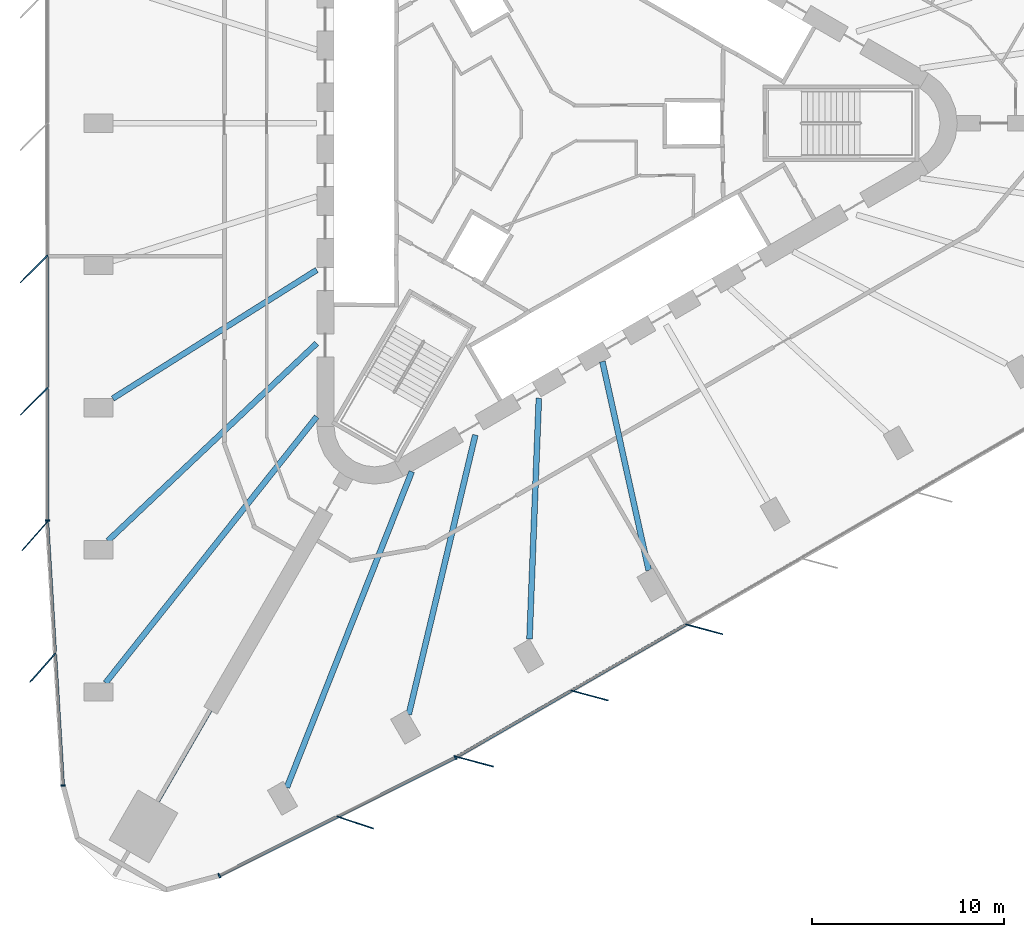
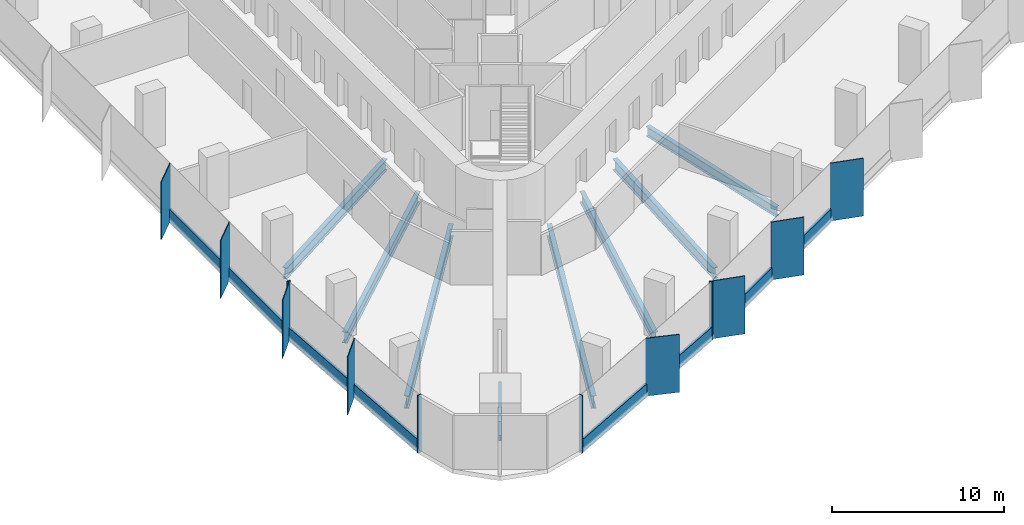
# One storey, part 2 of 14: 20 members, 8 beams, 4 elements without a shape of their own.
"""IFC4 building model written with IfcOpenShell, lengths in metres."""

import ifcopenshell
import ifcopenshell.guid

model = None  # the IFC model being written
_history = None  # IfcOwnerHistory: only IFC2X3 demands one
_inside = {}  # id of a spatial element -> (the spatial element, [elements in it])
_under = {}  # id of a project, library or spatial element -> (it, [spatial elements below it])
_declared = {}  # id of a project -> (the project, [libraries it declares])
_typed = {}  # id of a type object -> (the type object, [elements of that type])
_made_of = {}  # id of a material, layer set ... -> (it, [elements and type objects made of it])


def new_model(schema):
    """Start an empty IFC model of exactly this schema.

    Asked for "IFC4X3", IfcOpenShell would pick the latest addendum, in which some entities
    have other attributes; the version numbers below select the first issue.
    IFC2X3 requires an IfcOwnerHistory on every rooted entity: one is made here for all.
    """
    global model, _history
    if schema == "IFC4X3":
        model = ifcopenshell.file(schema_version=(4, 3, 0, 0))
    else:
        model = ifcopenshell.file(schema=schema)
    _inside.clear()
    _under.clear()
    _declared.clear()
    _typed.clear()
    _made_of.clear()
    _history = None
    if model.schema == "IFC2X3":
        org = make("IfcOrganization", Name="unknown")
        user = make(
            "IfcPersonAndOrganization",
            ThePerson=make("IfcPerson", FamilyName="unknown"),
            TheOrganization=org,
        )
        app = make(
            "IfcApplication",
            ApplicationDeveloper=org,
            Version="unknown",
            ApplicationFullName="unknown",
            ApplicationIdentifier="unknown",
        )
        _history = make(
            "IfcOwnerHistory",
            OwningUser=user,
            OwningApplication=app,
            ChangeAction="ADDED",
            CreationDate=0,
        )
    return model


def make(cls, **values):
    """One entity of the class cls with the attributes given. An attribute that is None is left unset."""
    return model.create_entity(
        cls, **{name: value for name, value in values.items() if value is not None}
    )


def rooted(cls, **values):
    """An entity with a GlobalId (a new one), such as an element, a storey or a relation."""
    return make(cls, GlobalId=ifcopenshell.guid.new(), OwnerHistory=_history, **values)


def si_unit(unit_type, name, prefix=None):
    """IfcSIUnit, for example si_unit("LENGTHUNIT", "METRE", prefix="MILLI")."""
    return make("IfcSIUnit", UnitType=unit_type, Prefix=prefix, Name=name)


def assignment(units):
    """IfcUnitAssignment: the units of a project."""
    return None if units is None else make("IfcUnitAssignment", Units=units)


def point(xyz):
    """IfcCartesianPoint."""
    return None if xyz is None else make("IfcCartesianPoint", Coordinates=xyz)


def direction(xyz):
    """IfcDirection."""
    return None if xyz is None else make("IfcDirection", DirectionRatios=xyz)


def frame(location, z_axis=None, x_axis=None):
    """IfcAxis2Placement3D, a coordinate frame: its origin and axes. An axis left out is left unset."""
    return make(
        "IfcAxis2Placement3D",
        Location=point(location),
        Axis=direction(z_axis),
        RefDirection=direction(x_axis),
    )


def frame_2d(location, x_axis=None):
    """IfcAxis2Placement2D, a coordinate frame in the plane: its origin and x axis."""
    return make(
        "IfcAxis2Placement2D", Location=point(location), RefDirection=direction(x_axis)
    )


def origin():
    """The frame at (0, 0, 0) with its axes left unset."""
    return frame((0.0, 0.0, 0.0))


def origin_2d():
    """The frame at (0, 0) in the plane with its x axis left unset."""
    return frame_2d((0.0, 0.0))


def place(relative_to, where):
    """IfcLocalPlacement: puts the frame where relative to a parent placement (None: the world)."""
    return make(
        "IfcLocalPlacement", PlacementRelTo=relative_to, RelativePlacement=where
    )


def context(
    kind, dimensions, precision=None, world=None, true_north=None, identifier=None
):
    """IfcGeometricRepresentationContext, for example the 3D "Model" context."""
    return make(
        "IfcGeometricRepresentationContext",
        ContextIdentifier=identifier,
        ContextType=kind,
        CoordinateSpaceDimension=dimensions,
        Precision=precision,
        WorldCoordinateSystem=world,
        TrueNorth=true_north,
    )


def subcontext(parent, identifier, kind, view, scale=None):
    """IfcGeometricRepresentationSubContext, for example "Body" below "Model"."""
    return make(
        "IfcGeometricRepresentationSubContext",
        ContextIdentifier=identifier,
        ContextType=kind,
        ParentContext=parent,
        TargetScale=scale,
        TargetView=view,
    )


def project(units=None, contexts=None):
    """IfcProject with its units and contexts."""
    return rooted(
        "IfcProject",
        Name="project",
        RepresentationContexts=contexts,
        UnitsInContext=assignment(units),
    )


def spatial(cls, under=None, at=None, **own):
    """A site, building, storey or space (cls), placed at a placement, below another one or the project."""
    s = rooted(cls, ObjectPlacement=at, **own)
    if under is not None:
        _under.setdefault(under.id(), (under, []))[1].append(s)
    return s


def profile(cls, at=None, kind="AREA", **sizes):
    """A parametric profile (cls). Its sizes go by their IFC names, for example OverallWidth=200.0."""
    return make(cls, ProfileType=kind, Position=at, **sizes)


def rectangle(**sizes):
    """IfcRectangleProfileDef."""
    return profile("IfcRectangleProfileDef", **sizes)


def i_section(**sizes):
    """IfcIShapeProfileDef."""
    return profile("IfcIShapeProfileDef", **sizes)


def extrude(swept, where, along, depth):
    """IfcExtrudedAreaSolid: the profile swept, set in the frame where, extruded along a direction by depth."""
    return make(
        "IfcExtrudedAreaSolid",
        SweptArea=swept,
        Position=where,
        ExtrudedDirection=direction(along),
        Depth=depth,
    )


def shape(context_of_items, identifier, shape_type, items):
    """IfcShapeRepresentation: the items that make up one representation, for example the "Body"."""
    return make(
        "IfcShapeRepresentation",
        ContextOfItems=context_of_items,
        RepresentationIdentifier=identifier,
        RepresentationType=shape_type,
        Items=items,
    )


def material(Name=None, Category=None):
    """IfcMaterial."""
    return make("IfcMaterial", Name=Name, Category=Category)


def material_profile(
    of_material, cross_section, Name=None, Category=None, Priority=None
):
    """IfcMaterialProfile: a cross section and its material."""
    return make(
        "IfcMaterialProfile",
        Name=Name,
        Material=of_material,
        Profile=cross_section,
        Priority=Priority,
        Category=Category,
    )


def profile_set(profiles, Name=None, composite=None):
    """IfcMaterialProfileSet."""
    return make(
        "IfcMaterialProfileSet",
        Name=Name,
        MaterialProfiles=profiles,
        CompositeProfile=composite,
    )


def made_of(thing, what):
    """Note that an element or type object is made of a material, layer set ...; save() writes the relation."""
    if what is not None:
        _made_of.setdefault(what.id(), (what, []))[1].append(thing)
    return thing


def type_object(cls, material=None, **own):
    """A type object (cls), such as IfcWallType, which elements share."""
    return made_of(rooted(cls, **own), material)


def element(
    cls,
    number,
    at=None,
    inside=None,
    cuts=None,
    type_object=None,
    material=None,
    context=None,
    identifier="Body",
    shape_type=None,
    held_by="IfcProductDefinitionShape",
    body=None,
    shapes=None,
    **own,
):
    """One element of the class cls, such as IfcWall. Its Tag is "e" and its number.

    at: its placement. inside: the storey or other place that contains it. cuts: it is an
    opening in that element (IfcRelVoidsElement). A single representation is given by context,
    identifier, shape_type and body (its items); several are given by shapes. held_by: the class
    of the entity that holds the representations. save() writes the other relations.
    """
    e = rooted(cls, Tag="e%d" % number, ObjectPlacement=at, **own)
    if body is not None:
        shapes = [shape(context, identifier, shape_type, body)]
    if shapes is not None:
        e.Representation = make(held_by, Representations=shapes)
    if inside is not None:
        _inside.setdefault(inside.id(), (inside, []))[1].append(e)
    if cuts is not None:
        rooted(
            "IfcRelVoidsElement", RelatingBuildingElement=cuts, RelatedOpeningElement=e
        )
    if type_object is not None:
        _typed.setdefault(type_object.id(), (type_object, []))[1].append(e)
    return made_of(e, material)


def aggregate(whole, parts):
    """IfcRelAggregates: a whole, such as a stair, and the parts it consists of."""
    return rooted("IfcRelAggregates", RelatingObject=whole, RelatedObjects=parts)


def save(model, path):
    """Write the relations noted so far, then the file.

    IfcRelAggregates (storeys below a building ...), IfcRelContainedInSpatialStructure (elements
    in a storey), IfcRelDefinesByType, IfcRelAssociatesMaterial and IfcRelDeclares: one each for
    every whole, place, type object, material and project.
    """
    for whole, parts in _under.values():
        aggregate(whole, parts)
    for where, things in _inside.values():
        rooted(
            "IfcRelContainedInSpatialStructure",
            RelatedElements=things,
            RelatingStructure=where,
        )
    for kind, things in _typed.values():
        rooted("IfcRelDefinesByType", RelatedObjects=things, RelatingType=kind)
    for what, things in _made_of.values():
        rooted("IfcRelAssociatesMaterial", RelatedObjects=things, RelatingMaterial=what)
    for by, libraries in _declared.values():
        rooted("IfcRelDeclares", RelatingContext=by, RelatedDefinitions=libraries)
    model.write(path)


model = new_model("IFC4")

# Units and contexts
model_context = context("Model", 3, precision=1e-05, world=origin(), true_north=direction((0.0, 1.0)))
body_context = subcontext(model_context, "Body", "Model", "MODEL_VIEW")
ifc_project = project(units=[si_unit("LENGTHUNIT", "METRE"), si_unit("AREAUNIT", "SQUARE_METRE"), si_unit("VOLUMEUNIT", "CUBIC_METRE"), si_unit("PLANEANGLEUNIT", "RADIAN"), si_unit("MASSUNIT", "GRAM", prefix="KILO")], contexts=[model_context])

# Site, building, storey
site_placement = place(None, origin())
site = spatial("IfcSite", under=ifc_project, at=site_placement, CompositionType="ELEMENT")
building_placement = place(site_placement, origin())
building = spatial("IfcBuilding", under=site, at=building_placement, Name="Tanit Gate Tower", CompositionType="ELEMENT")
storey_placement = place(building_placement, frame((0.0, 0.0, 53.699951171875)))
storey = spatial("IfcBuildingStorey", under=building, at=storey_placement, Name="L09", CompositionType="ELEMENT", Elevation=53.699951171875)

# Curtain wall, members
ifc_material_1 = material(Name="Aluminium bronze anodised and glass", Category="aluminium")
curtain_wall_type = type_object("IfcCurtainWallType", Name="Curtain wall typical low", PredefinedType="NOTDEFINED", material=ifc_material_1)
curtain_wall_1_placement = place(storey_placement, origin())
curtain_wall_1 = element("IfcCurtainWall", 1, at=curtain_wall_1_placement, inside=storey, type_object=curtain_wall_type, Name="Curtain wall L09 W2", PredefinedType="NOTDEFINED")
ifc_material_2 = material(Name="Aluminium bronze anodised", Category="aluminium")
ifc_material_profile_1 = material_profile(ifc_material_2, rectangle(XDim=2.0, YDim=0.055908203125, at=origin_2d()), Name="56x2000 bronze fin mullion")
ifc_profile_set_1 = profile_set([ifc_material_profile_1], Name="Aluminium bronze anodised")
member_type_1 = type_object("IfcMemberType", Name="FIN MULLION 56x2000 bronze", PredefinedType="MULLION", material=ifc_profile_set_1)
member_1_placement = place(storey_placement, frame((-26.799072265625, -7.572998046875, -0.300048828125), z_axis=(0.0, 0.0, 1.0), x_axis=(0.707057749571, 0.707155809403, 0.0)))
member_1 = element("IfcMember", 2, at=member_1_placement, type_object=member_type_1, Name="Fin mullion L09 W2.5", PredefinedType="MULLION", context=body_context, shape_type="SweptSolid", body=[
    extrude(rectangle(XDim=2.0, YDim=0.055908203125, at=origin_2d()), origin(), (0.0, 0.0, 1.0), 4.10009765625),
])
member_2_placement = place(storey_placement, frame((-26.798583984375, -14.45458984375, -0.300048828125), z_axis=(0.0, 0.0, 1.0), x_axis=(0.707057749571, 0.707155809403, 0.0)))
member_2 = element("IfcMember", 3, at=member_2_placement, type_object=member_type_1, Name="Fin mullion L09 W2.6", PredefinedType="MULLION", context=body_context, shape_type="SweptSolid", body=[
    extrude(rectangle(XDim=2.0, YDim=0.055908203125, at=origin_2d()), origin(), (0.0, 0.0, 1.0), 4.10009765625),
])

curtain_wall_2_placement = place(storey_placement, origin())
curtain_wall_2 = element("IfcCurtainWall", 4, at=curtain_wall_2_placement, inside=storey, type_object=curtain_wall_type, Name="Curtain wall L09 W3", PredefinedType="NOTDEFINED")
member_3_placement = place(storey_placement, frame((-26.753173828125, -21.456298828125, -0.300048828125), z_axis=(0.0, 0.0, 1.0), x_axis=(0.663702749837, 0.747996430378, 0.0)))
member_3 = element("IfcMember", 5, at=member_3_placement, type_object=member_type_1, Name="Fin mullion L09 W3.1", PredefinedType="MULLION", context=body_context, shape_type="SweptSolid", body=[
    extrude(rectangle(XDim=2.0, YDim=0.055908203125, at=origin_2d()), origin(), (0.0, 0.0, 1.0), 4.10009765625),
])
member_4_placement = place(storey_placement, frame((-26.34423828125, -28.3046875, -0.300048828125), z_axis=(0.0, 0.0, 1.0), x_axis=(0.663702749837, 0.747996430378, 0.0)))
member_4 = element("IfcMember", 6, at=member_4_placement, type_object=member_type_1, Name="Fin mullion L09 W3.2", PredefinedType="MULLION", context=body_context, shape_type="SweptSolid", body=[
    extrude(rectangle(XDim=2.0, YDim=0.055908203125, at=origin_2d()), origin(), (0.0, 0.0, 1.0), 4.10009765625),
])

# Curtain wall, member
curtain_wall_3_placement = place(storey_placement, origin())
curtain_wall_3 = element("IfcCurtainWall", 7, at=curtain_wall_3_placement, inside=storey, type_object=curtain_wall_type, Name="Curtain wall L09 SE1", PredefinedType="NOTDEFINED")
member_5_placement = place(storey_placement, frame((-10.103759765625, -36.35009765625, -0.300048828125), z_axis=(0.0, 0.0, 1.0), x_axis=(-0.94871615191, 0.316129187366, 0.0)))
member_5 = element("IfcMember", 8, at=member_5_placement, type_object=member_type_1, Name="Fin mullion L09 SE1.2", PredefinedType="MULLION", context=body_context, shape_type="SweptSolid", body=[
    extrude(rectangle(XDim=2.0, YDim=0.055908203125, at=origin_2d()), origin(), (0.0, 0.0, 1.0), 4.10009765625),
])

# Curtain wall, members
curtain_wall_4_placement = place(storey_placement, origin())
curtain_wall_4 = element("IfcCurtainWall", 9, at=curtain_wall_4_placement, inside=storey, type_object=curtain_wall_type, Name="Curtain wall L09 SE2", PredefinedType="NOTDEFINED")
member_6_placement = place(storey_placement, frame((-3.88037109375, -33.187255859375, -0.300048828125), z_axis=(0.0, 0.0, 1.0), x_axis=(-0.965943770162, 0.25875206837, 0.0)))
member_6 = element("IfcMember", 10, at=member_6_placement, type_object=member_type_1, Name="Fin mullion L09 SE2.1", PredefinedType="MULLION", context=body_context, shape_type="SweptSolid", body=[
    extrude(rectangle(XDim=2.0, YDim=0.055908203125, at=origin_2d()), origin(), (0.0, 0.0, 1.0), 4.10009765625),
])
member_7_placement = place(storey_placement, frame((2.0791015625, -29.74609375, -0.300048828125), z_axis=(0.0, 0.0, 1.0), x_axis=(-0.965943770162, 0.25875206837, 0.0)))
member_7 = element("IfcMember", 11, at=member_7_placement, type_object=member_type_1, Name="Fin mullion L09 SE2.2", PredefinedType="MULLION", context=body_context, shape_type="SweptSolid", body=[
    extrude(rectangle(XDim=2.0, YDim=0.055908203125, at=origin_2d()), origin(), (0.0, 0.0, 1.0), 4.10009765625),
])
member_8_placement = place(storey_placement, frame((8.038818359375, -26.3046875, -0.300048828125), z_axis=(0.0, 0.0, 1.0), x_axis=(-0.965943770162, 0.25875206837, 0.0)))
member_8 = element("IfcMember", 12, at=member_8_placement, type_object=member_type_1, Name="Fin mullion L09 SE2.3", PredefinedType="MULLION", context=body_context, shape_type="SweptSolid", body=[
    extrude(rectangle(XDim=2.0, YDim=0.055908203125, at=origin_2d()), origin(), (0.0, 0.0, 1.0), 4.10009765625),
])

# Member
ifc_material_3 = material(Name="Aluminium bronze anodised", Category="aluminium")
ifc_material_profile_2 = material_profile(ifc_material_3, rectangle(XDim=0.239990234375, YDim=0.080078125, at=origin_2d()), Name="80x240 bronze mullion")
ifc_profile_set_2 = profile_set([ifc_material_profile_2], Name="Aluminium bronze anodised")
member_type_2 = type_object("IfcMemberType", Name="Mullion 80x240 typical low", PredefinedType="MULLION", material=ifc_profile_set_2)
member_9_placement = place(storey_placement, frame((-26.10693359375, -20.645263671875, -0.300048828125), z_axis=(0.0, 0.0, 1.0), x_axis=(0.999999997596, 6.9338772e-05, 0.0)))
member_9 = element("IfcMember", 13, at=member_9_placement, type_object=member_type_2, Name="Mullion L09 W2.7", PredefinedType="MULLION", context=body_context, shape_type="SweptSolid", body=[
    extrude(rectangle(XDim=0.239990234375, YDim=0.080078125, at=origin_2d()), origin(), (0.0, 0.0, 1.0), 4.10009765625),
])

member_10_placement = place(storey_placement, frame((-25.28662109375, -34.422119140625, -0.300048828125), z_axis=(0.0, 0.0, 1.0), x_axis=(0.998222063326, 0.059604633121, 0.0)))
member_10 = element("IfcMember", 14, at=member_10_placement, type_object=member_type_2, Name="Mullion L09 W3.3", PredefinedType="MULLION", context=body_context, shape_type="SweptSolid", body=[
    extrude(rectangle(XDim=0.239990234375, YDim=0.080078125, at=origin_2d()), origin(), (0.0, 0.0, 1.0), 4.10009765625),
])

member_11_placement = place(storey_placement, frame((-17.167236328125, -39.110107421875, -0.300048828125), z_axis=(0.0, 0.0, 1.0), x_axis=(-0.44730653232, 0.894380716554, 0.0)))
member_11 = element("IfcMember", 15, at=member_11_placement, type_object=member_type_2, Name="Mullion L09 SE1.1", PredefinedType="MULLION", context=body_context, shape_type="SweptSolid", body=[
    extrude(rectangle(XDim=0.239990234375, YDim=0.080078125, at=origin_2d()), origin(), (0.0, 0.0, 1.0), 4.10009765625),
])

member_12_placement = place(storey_placement, frame((-4.894775390625, -32.972412109375, -0.300048828125), z_axis=(0.0, 0.0, 1.0), x_axis=(-0.44730653232, 0.894380716554, 0.0)))
member_12 = element("IfcMember", 16, at=member_12_placement, type_object=member_type_2, Name="Mullion L09 SE1.3", PredefinedType="MULLION", context=body_context, shape_type="SweptSolid", body=[
    extrude(rectangle(XDim=0.239990234375, YDim=0.080078125, at=origin_2d()), origin(), (0.0, 0.0, 1.0), 4.10009765625),
])

# Beams
ifc_material_4 = material(Name="Steel S355", Category="steel")
ifc_material_profile_3 = material_profile(ifc_material_4, i_section(OverallWidth=0.300048828125, OverallDepth=0.68994140625, WebThickness=0.014404296875, FlangeThickness=0.027099609375, FilletRadius=0.027099609375, at=origin_2d()), Name="HEA 700")
ifc_profile_set_3 = profile_set([ifc_material_profile_3], Name="Steel S355")
beam_type_1 = type_object("IfcBeamType", Name="RADIAL GIRDER HEA 700 S355", PredefinedType="BEAM", material=ifc_profile_set_3)
beam_1_placement = place(storey_placement, frame((5.1552734375, -23.2392578125, -0.64501953125), z_axis=(-0.216567644873, 0.976267614537, 0.0), x_axis=(-0.976267614537, -0.216567644873, 0.0)))
element("IfcBeam", 17, at=beam_1_placement, inside=storey, type_object=beam_type_1, Name="RADIAL GIRDER", PredefinedType="BEAM", context=body_context, shape_type="SweptSolid", body=[
    extrude(i_section(OverallWidth=0.300048828125, OverallDepth=0.68994140625, WebThickness=0.014404296875, FlangeThickness=0.027099609375, FilletRadius=0.027099609375, at=origin_2d()), origin(), (0.0, 0.0, 1.0), 11.115234375),
])
ifc_material_5 = material(Name="Steel S355", Category="steel")
ifc_material_profile_4 = material_profile(ifc_material_5, i_section(OverallWidth=0.300048828125, OverallDepth=0.7900390625, WebThickness=0.014892578125, FlangeThickness=0.028076171875, FilletRadius=0.030029296875, at=origin_2d()), Name="HEA 800")
ifc_profile_set_4 = profile_set([ifc_material_profile_4], Name="Steel S355")
beam_type_2 = type_object("IfcBeamType", Name="RADIAL GIRDER HEA 800 S355", PredefinedType="BEAM", material=ifc_profile_set_4)
beam_2_placement = place(storey_placement, frame((-22.703369140625, -14.310302734375, -0.695068359375), z_axis=(0.845964004255, 0.533240005537, 0.0), x_axis=(-0.533240005537, 0.845964004255, 0.0)))
element("IfcBeam", 18, at=beam_2_placement, inside=storey, type_object=beam_type_2, Name="RADIAL GIRDER", PredefinedType="BEAM", context=body_context, shape_type="SweptSolid", body=[
    extrude(i_section(OverallWidth=0.300048828125, OverallDepth=0.7900390625, WebThickness=0.014892578125, FlangeThickness=0.028076171875, FilletRadius=0.030029296875, at=origin_2d()), origin(), (0.0, 0.0, 1.0), 12.53173828125),
])
beam_3_placement = place(storey_placement, frame((-22.950927734375, -21.69921875, -0.695068359375), z_axis=(0.726639827007, 0.687018603683, 0.0), x_axis=(-0.687018603683, 0.726639827007, 0.0)))
element("IfcBeam", 19, at=beam_3_placement, inside=storey, type_object=beam_type_2, Name="RADIAL GIRDER", PredefinedType="BEAM", context=body_context, shape_type="SweptSolid", body=[
    extrude(i_section(OverallWidth=0.300048828125, OverallDepth=0.7900390625, WebThickness=0.014892578125, FlangeThickness=0.028076171875, FilletRadius=0.030029296875, at=origin_2d()), origin(), (0.0, 0.0, 1.0), 14.93017578125),
])
beam_4_placement = place(storey_placement, frame((-7.316650390625, -30.725830078125, -0.695068359375), z_axis=(0.231658845557, 0.972797090495, 0.0), x_axis=(-0.972797090495, 0.231658845557, 0.0)))
element("IfcBeam", 20, at=beam_4_placement, inside=storey, type_object=beam_type_2, Name="RADIAL GIRDER", PredefinedType="BEAM", context=body_context, shape_type="SweptSolid", body=[
    extrude(i_section(OverallWidth=0.300048828125, OverallDepth=0.7900390625, WebThickness=0.014892578125, FlangeThickness=0.028076171875, FilletRadius=0.030029296875, at=origin_2d()), origin(), (0.0, 0.0, 1.0), 14.930419921875),
])
beam_5_placement = place(storey_placement, frame((-1.041259765625, -26.81689453125, -0.695068359375), z_axis=(0.038788513733, 0.99924744243, 0.0), x_axis=(-0.99924744243, 0.038788513733, 0.0)))
element("IfcBeam", 21, at=beam_5_placement, inside=storey, type_object=beam_type_2, Name="RADIAL GIRDER", PredefinedType="BEAM", context=body_context, shape_type="SweptSolid", body=[
    extrude(i_section(OverallWidth=0.300048828125, OverallDepth=0.7900390625, WebThickness=0.014892578125, FlangeThickness=0.028076171875, FilletRadius=0.030029296875, at=origin_2d()), origin(), (0.0, 0.0, 1.0), 12.53173828125),
])
ifc_material_6 = material(Name="Steel S355", Category="steel")
ifc_material_profile_5 = material_profile(ifc_material_6, i_section(OverallWidth=0.300048828125, OverallDepth=0.889892578125, WebThickness=0.01611328125, FlangeThickness=0.030029296875, FilletRadius=0.030029296875, at=origin_2d()), Name="HEA 900")
ifc_profile_set_5 = profile_set([ifc_material_profile_5], Name="Steel S355")
beam_type_3 = type_object("IfcBeamType", Name="RADIAL GIRDER HEA 900 S355", PredefinedType="BEAM", material=ifc_profile_set_5)
for number, where, z_axis, x_axis, name in (
    (22, (-23.07666015625, -29.0908203125, -0.744873046875), (0.621472845829, 0.783435703742, 0.0), (-0.783435703742, 0.621472845829, 0.0), "RADIAL GIRDER"),
    (23, (-13.655029296875, -34.5302734375, -0.744873046875), (0.36773841244, 0.929929276889, 0.0), (-0.929929276889, 0.36773841244, 0.0), "RADIAL GIRDER"),
):
    element("IfcBeam", number, at=place(storey_placement, frame(where, z_axis=z_axis, x_axis=x_axis)), inside=storey, type_object=beam_type_3, Name=name, PredefinedType="BEAM", context=body_context, shape_type="SweptSolid", body=[
        extrude(i_section(OverallWidth=0.300048828125, OverallDepth=0.889892578125, WebThickness=0.01611328125, FlangeThickness=0.030029296875, FilletRadius=0.030029296875, at=origin_2d()), origin(), (0.0, 0.0, 1.0), 17.658935546875),
    ])
ifc_material_7 = material(Name="Steel S355", Category="steel")
ifc_material_profile_6 = material_profile(ifc_material_7, i_section(OverallWidth=0.179931640625, OverallDepth=0.39990234375, WebThickness=0.008544921875, FlangeThickness=0.013427734375, FilletRadius=0.02099609375, at=origin_2d()), Name="IPE 400")
ifc_profile_set_6 = profile_set([ifc_material_profile_6], Name="Steel S355")
beam_type_4 = type_object("IfcBeamType", Name="RADIAL GIRDER IPE 400 S355", PredefinedType="BEAM", material=ifc_profile_set_6)
beam_6_placement = place(storey_placement, frame((-20.355712890625, -35.257080078125, -0.5), z_axis=(0.500017734461, 0.866015164547, 0.0), x_axis=(-0.866015164547, 0.500017734461, 0.0)))
element("IfcBeam", 24, at=beam_6_placement, inside=storey, type_object=beam_type_4, Name="RADIAL GIRDER", PredefinedType="BEAM", context=body_context, shape_type="SweptSolid", body=[
    extrude(i_section(OverallWidth=0.179931640625, OverallDepth=0.39990234375, WebThickness=0.008544921875, FlangeThickness=0.013427734375, FilletRadius=0.02099609375, at=origin_2d()), origin(), (0.0, 0.0, 1.0), 5.463134765625),
])

# Member
ifc_material_8 = material(Name="Aluminium bronze anodised", Category="aluminium")
ifc_material_profile_7 = material_profile(ifc_material_8, rectangle(XDim=0.159912109375, YDim=0.89990234375, at=origin_2d()), Name="160x900 bronze transom")
ifc_profile_set_7 = profile_set([ifc_material_profile_7], Name="Aluminium bronze anodised")
member_type_3 = type_object("IfcMemberType", Name="Transom 160x900 typical low", PredefinedType="USERDEFINED", material=ifc_profile_set_7)
member_13_placement = place(storey_placement, frame((-26.10791015625, -6.921630859375, 0.150146484375), z_axis=(7.1784932e-05, -0.999999997423, 0.0), x_axis=(0.999999997423, 7.1784932e-05, 0.0)))
member_13 = element("IfcMember", 25, at=member_13_placement, type_object=member_type_3, Name="Transom L09 W2.5", ObjectType="TRANSOM", PredefinedType="USERDEFINED", context=body_context, shape_type="SweptSolid", body=[
    extrude(rectangle(XDim=0.159912109375, YDim=0.89990234375, at=origin_2d()), origin(), (0.0, 0.0, 1.0), 6.802001953125),
])

member_14_placement = place(storey_placement, frame((-26.107421875, -13.803466796875, 0.150146484375), z_axis=(7.1787509e-05, -0.999999997423, 0.0), x_axis=(0.999999997423, 7.1787509e-05, 0.0)))
member_14 = element("IfcMember", 26, at=member_14_placement, type_object=member_type_3, Name="Transom L09 W2.6", ObjectType="TRANSOM", PredefinedType="USERDEFINED", context=body_context, shape_type="SweptSolid", body=[
    extrude(rectangle(XDim=0.159912109375, YDim=0.89990234375, at=origin_2d()), origin(), (0.0, 0.0, 1.0), 6.8017578125),
])

aggregate(curtain_wall_1, [member_1, member_2, member_9, member_13, member_14])

member_15_placement = place(storey_placement, frame((-26.102294921875, -20.76513671875, 0.150146484375), z_axis=(0.059625367417, -0.998220825048, 0.0), x_axis=(0.998220825048, 0.059625367417, 0.0)))
member_15 = element("IfcMember", 27, at=member_15_placement, type_object=member_type_3, Name="Transom L09 W3.1", ObjectType="TRANSOM", PredefinedType="USERDEFINED", context=body_context, shape_type="SweptSolid", body=[
    extrude(rectangle(XDim=0.159912109375, YDim=0.89990234375, at=origin_2d()), origin(), (0.0, 0.0, 1.0), 6.780517578125),
])

member_16_placement = place(storey_placement, frame((-25.693359375, -27.613525390625, 0.150146484375), z_axis=(0.059623224463, -0.998220953048, 0.0), x_axis=(0.998220953048, 0.059623224463, 0.0)))
member_16 = element("IfcMember", 28, at=member_16_placement, type_object=member_type_3, Name="Transom L09 W3.2", ObjectType="TRANSOM", PredefinedType="USERDEFINED", context=body_context, shape_type="SweptSolid", body=[
    extrude(rectangle(XDim=0.159912109375, YDim=0.89990234375, at=origin_2d()), origin(), (0.0, 0.0, 1.0), 6.78076171875),
])

aggregate(curtain_wall_2, [member_3, member_4, member_10, member_15, member_16])

member_17_placement = place(storey_placement, frame((-17.13134765625, -39.09228515625, 0.150146484375), z_axis=(0.894376779639, 0.447314404019, 0.0), x_axis=(-0.447314404019, 0.894376779639, 0.0)))
member_17 = element("IfcMember", 29, at=member_17_placement, type_object=member_type_3, Name="Transom L09 SE1.1", ObjectType="TRANSOM", PredefinedType="USERDEFINED", context=body_context, shape_type="SweptSolid", body=[
    extrude(rectangle(XDim=0.159912109375, YDim=0.89990234375, at=origin_2d()), origin(), (0.0, 0.0, 1.0), 6.781005859375),
])

member_18_placement = place(storey_placement, frame((-10.9951171875, -36.023193359375, 0.150146484375), z_axis=(0.89438397987, 0.447300007324, 0.0), x_axis=(-0.447300007324, 0.89438397987, 0.0)))
member_18 = element("IfcMember", 30, at=member_18_placement, type_object=member_type_3, Name="Transom L09 SE1.2", ObjectType="TRANSOM", PredefinedType="USERDEFINED", context=body_context, shape_type="SweptSolid", body=[
    extrude(rectangle(XDim=0.159912109375, YDim=0.89990234375, at=origin_2d()), origin(), (0.0, 0.0, 1.0), 6.780517578125),
])

aggregate(curtain_wall_3, [member_11, member_5, member_12, member_17, member_18])

member_19_placement = place(storey_placement, frame((-4.789794921875, -32.914306640625, 0.150146484375), z_axis=(0.866005663404, 0.500034189783, 0.0), x_axis=(-0.500034189783, 0.866005663404, 0.0)))
member_19 = element("IfcMember", 31, at=member_19_placement, type_object=member_type_3, Name="Transom L09 SE2.1", ObjectType="TRANSOM", PredefinedType="USERDEFINED", context=body_context, shape_type="SweptSolid", body=[
    extrude(rectangle(XDim=0.159912109375, YDim=0.89990234375, at=origin_2d()), origin(), (0.0, 0.0, 1.0), 6.8017578125),
])

member_20_placement = place(storey_placement, frame((1.169921875, -29.47314453125, 0.150146484375), z_axis=(0.865981144299, 0.500076651843, 0.0), x_axis=(-0.500076651843, 0.865981144299, 0.0)))
member_20 = element("IfcMember", 32, at=member_20_placement, type_object=member_type_3, Name="Transom L09 SE2.2", ObjectType="TRANSOM", PredefinedType="USERDEFINED", context=body_context, shape_type="SweptSolid", body=[
    extrude(rectangle(XDim=0.159912109375, YDim=0.89990234375, at=origin_2d()), origin(), (0.0, 0.0, 1.0), 6.8017578125),
])

aggregate(curtain_wall_4, [member_6, member_7, member_8, member_19, member_20])

save(model, "model.ifc")
